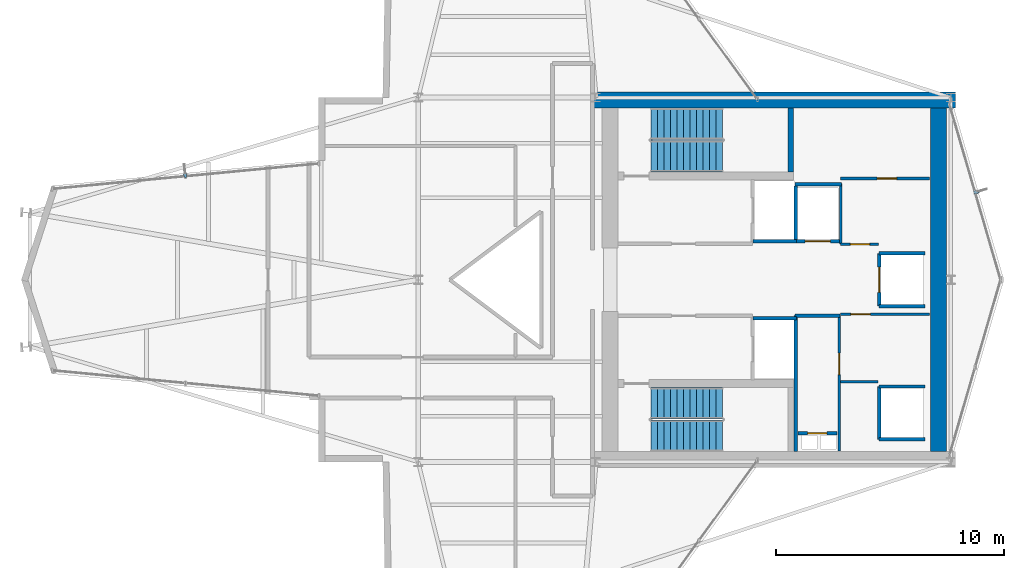
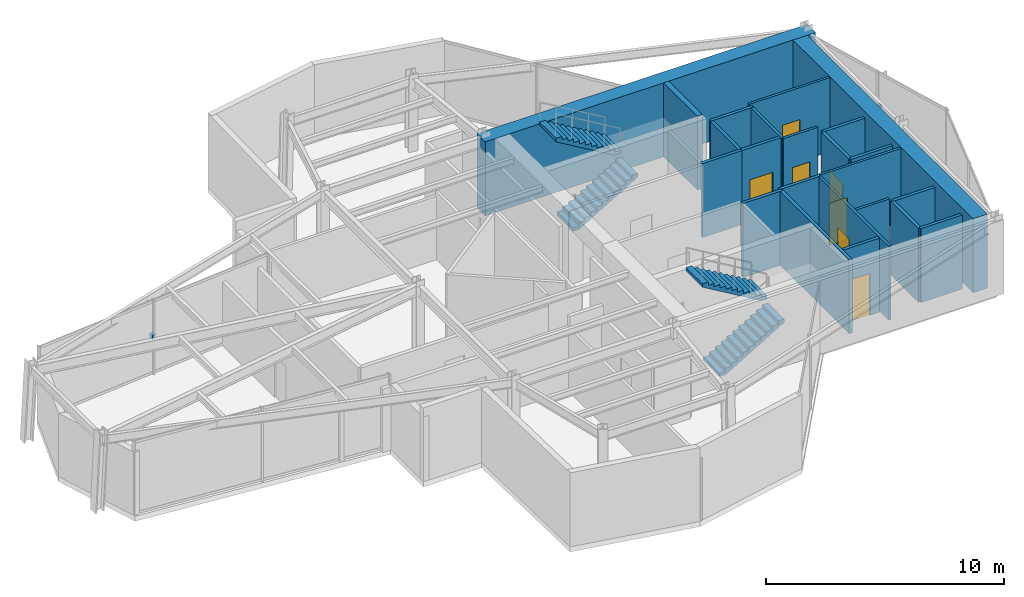
# One storey, part 20 of 21: 23 walls, 7 doors, 4 stair flights, 2 discrete accessories, 7 openings, 2 elements without a shape of their own.
"""IFC4 building model written with IfcOpenShell, lengths in metres."""

import ifcopenshell
import ifcopenshell.guid

model = None  # the IFC model being written
_history = None  # IfcOwnerHistory: only IFC2X3 demands one
_inside = {}  # id of a spatial element -> (the spatial element, [elements in it])
_under = {}  # id of a project, library or spatial element -> (it, [spatial elements below it])
_declared = {}  # id of a project -> (the project, [libraries it declares])
_typed = {}  # id of a type object -> (the type object, [elements of that type])
_made_of = {}  # id of a material, layer set ... -> (it, [elements and type objects made of it])


def new_model(schema):
    """Start an empty IFC model of exactly this schema.

    Asked for "IFC4X3", IfcOpenShell would pick the latest addendum, in which some entities
    have other attributes; the version numbers below select the first issue.
    IFC2X3 requires an IfcOwnerHistory on every rooted entity: one is made here for all.
    """
    global model, _history
    if schema == "IFC4X3":
        model = ifcopenshell.file(schema_version=(4, 3, 0, 0))
    else:
        model = ifcopenshell.file(schema=schema)
    _inside.clear()
    _under.clear()
    _declared.clear()
    _typed.clear()
    _made_of.clear()
    _history = None
    if model.schema == "IFC2X3":
        org = make("IfcOrganization", Name="unknown")
        user = make(
            "IfcPersonAndOrganization",
            ThePerson=make("IfcPerson", FamilyName="unknown"),
            TheOrganization=org,
        )
        app = make(
            "IfcApplication",
            ApplicationDeveloper=org,
            Version="unknown",
            ApplicationFullName="unknown",
            ApplicationIdentifier="unknown",
        )
        _history = make(
            "IfcOwnerHistory",
            OwningUser=user,
            OwningApplication=app,
            ChangeAction="ADDED",
            CreationDate=0,
        )
    return model


def make(cls, **values):
    """One entity of the class cls with the attributes given. An attribute that is None is left unset."""
    return model.create_entity(
        cls, **{name: value for name, value in values.items() if value is not None}
    )


def rooted(cls, **values):
    """An entity with a GlobalId (a new one), such as an element, a storey or a relation."""
    return make(cls, GlobalId=ifcopenshell.guid.new(), OwnerHistory=_history, **values)


def si_unit(unit_type, name, prefix=None):
    """IfcSIUnit, for example si_unit("LENGTHUNIT", "METRE", prefix="MILLI")."""
    return make("IfcSIUnit", UnitType=unit_type, Prefix=prefix, Name=name)


def assignment(units):
    """IfcUnitAssignment: the units of a project."""
    return None if units is None else make("IfcUnitAssignment", Units=units)


def point(xyz):
    """IfcCartesianPoint."""
    return None if xyz is None else make("IfcCartesianPoint", Coordinates=xyz)


def direction(xyz):
    """IfcDirection."""
    return None if xyz is None else make("IfcDirection", DirectionRatios=xyz)


def frame(location, z_axis=None, x_axis=None):
    """IfcAxis2Placement3D, a coordinate frame: its origin and axes. An axis left out is left unset."""
    return make(
        "IfcAxis2Placement3D",
        Location=point(location),
        Axis=direction(z_axis),
        RefDirection=direction(x_axis),
    )


def frame_2d(location, x_axis=None):
    """IfcAxis2Placement2D, a coordinate frame in the plane: its origin and x axis."""
    return make(
        "IfcAxis2Placement2D", Location=point(location), RefDirection=direction(x_axis)
    )


def origin():
    """The frame at (0, 0, 0) with its axes left unset."""
    return frame((0.0, 0.0, 0.0))


def origin_2d():
    """The frame at (0, 0) in the plane with its x axis left unset."""
    return frame_2d((0.0, 0.0))


def place(relative_to, where):
    """IfcLocalPlacement: puts the frame where relative to a parent placement (None: the world)."""
    return make(
        "IfcLocalPlacement", PlacementRelTo=relative_to, RelativePlacement=where
    )


def context(
    kind, dimensions, precision=None, world=None, true_north=None, identifier=None
):
    """IfcGeometricRepresentationContext, for example the 3D "Model" context."""
    return make(
        "IfcGeometricRepresentationContext",
        ContextIdentifier=identifier,
        ContextType=kind,
        CoordinateSpaceDimension=dimensions,
        Precision=precision,
        WorldCoordinateSystem=world,
        TrueNorth=true_north,
    )


def subcontext(parent, identifier, kind, view, scale=None):
    """IfcGeometricRepresentationSubContext, for example "Body" below "Model"."""
    return make(
        "IfcGeometricRepresentationSubContext",
        ContextIdentifier=identifier,
        ContextType=kind,
        ParentContext=parent,
        TargetScale=scale,
        TargetView=view,
    )


def project(units=None, contexts=None):
    """IfcProject with its units and contexts."""
    return rooted(
        "IfcProject",
        Name="project",
        RepresentationContexts=contexts,
        UnitsInContext=assignment(units),
    )


def spatial(cls, under=None, at=None, **own):
    """A site, building, storey or space (cls), placed at a placement, below another one or the project."""
    s = rooted(cls, ObjectPlacement=at, **own)
    if under is not None:
        _under.setdefault(under.id(), (under, []))[1].append(s)
    return s


def polyline(points):
    """IfcPolyline through the points."""
    return make("IfcPolyline", Points=[point(p) for p in points])


def profile(cls, at=None, kind="AREA", **sizes):
    """A parametric profile (cls). Its sizes go by their IFC names, for example OverallWidth=200.0."""
    return make(cls, ProfileType=kind, Position=at, **sizes)


def rectangle(**sizes):
    """IfcRectangleProfileDef."""
    return profile("IfcRectangleProfileDef", **sizes)


def outline(outer, holes=None, kind="AREA"):
    """IfcArbitraryClosedProfileDef: a profile drawn as a closed curve; with holes, ...WithVoids."""
    if holes is None:
        return make("IfcArbitraryClosedProfileDef", ProfileType=kind, OuterCurve=outer)
    return make(
        "IfcArbitraryProfileDefWithVoids",
        ProfileType=kind,
        OuterCurve=outer,
        InnerCurves=holes,
    )


def extrude(swept, where, along, depth):
    """IfcExtrudedAreaSolid: the profile swept, set in the frame where, extruded along a direction by depth."""
    return make(
        "IfcExtrudedAreaSolid",
        SweptArea=swept,
        Position=where,
        ExtrudedDirection=direction(along),
        Depth=depth,
    )


def shape(context_of_items, identifier, shape_type, items):
    """IfcShapeRepresentation: the items that make up one representation, for example the "Body"."""
    return make(
        "IfcShapeRepresentation",
        ContextOfItems=context_of_items,
        RepresentationIdentifier=identifier,
        RepresentationType=shape_type,
        Items=items,
    )


def material(Name=None, Category=None):
    """IfcMaterial."""
    return make("IfcMaterial", Name=Name, Category=Category)


def layer(
    of_material, thickness, ventilated=None, Name=None, Category=None, Priority=None
):
    """IfcMaterialLayer: one layer of a wall or slab, of a material (None: an air gap)."""
    return make(
        "IfcMaterialLayer",
        Material=of_material,
        LayerThickness=thickness,
        IsVentilated=ventilated,
        Name=Name,
        Category=Category,
        Priority=Priority,
    )


def layer_set(layers, Name=None):
    """IfcMaterialLayerSet."""
    return make("IfcMaterialLayerSet", MaterialLayers=layers, LayerSetName=Name)


def made_of(thing, what):
    """Note that an element or type object is made of a material, layer set ...; save() writes the relation."""
    if what is not None:
        _made_of.setdefault(what.id(), (what, []))[1].append(thing)
    return thing


def type_object(cls, material=None, **own):
    """A type object (cls), such as IfcWallType, which elements share."""
    return made_of(rooted(cls, **own), material)


def element(
    cls,
    number,
    at=None,
    inside=None,
    cuts=None,
    type_object=None,
    material=None,
    context=None,
    identifier="Body",
    shape_type=None,
    held_by="IfcProductDefinitionShape",
    body=None,
    shapes=None,
    **own,
):
    """One element of the class cls, such as IfcWall. Its Tag is "e" and its number.

    at: its placement. inside: the storey or other place that contains it. cuts: it is an
    opening in that element (IfcRelVoidsElement). A single representation is given by context,
    identifier, shape_type and body (its items); several are given by shapes. held_by: the class
    of the entity that holds the representations. save() writes the other relations.
    """
    e = rooted(cls, Tag="e%d" % number, ObjectPlacement=at, **own)
    if body is not None:
        shapes = [shape(context, identifier, shape_type, body)]
    if shapes is not None:
        e.Representation = make(held_by, Representations=shapes)
    if inside is not None:
        _inside.setdefault(inside.id(), (inside, []))[1].append(e)
    if cuts is not None:
        rooted(
            "IfcRelVoidsElement", RelatingBuildingElement=cuts, RelatedOpeningElement=e
        )
    if type_object is not None:
        _typed.setdefault(type_object.id(), (type_object, []))[1].append(e)
    return made_of(e, material)


def fill(opening, filler):
    """IfcRelFillsElement: the door or window that sits in an opening."""
    return rooted(
        "IfcRelFillsElement",
        RelatingOpeningElement=opening,
        RelatedBuildingElement=filler,
    )


def aggregate(whole, parts):
    """IfcRelAggregates: a whole, such as a stair, and the parts it consists of."""
    return rooted("IfcRelAggregates", RelatingObject=whole, RelatedObjects=parts)


def save(model, path):
    """Write the relations noted so far, then the file.

    IfcRelAggregates (storeys below a building ...), IfcRelContainedInSpatialStructure (elements
    in a storey), IfcRelDefinesByType, IfcRelAssociatesMaterial and IfcRelDeclares: one each for
    every whole, place, type object, material and project.
    """
    for whole, parts in _under.values():
        aggregate(whole, parts)
    for where, things in _inside.values():
        rooted(
            "IfcRelContainedInSpatialStructure",
            RelatedElements=things,
            RelatingStructure=where,
        )
    for kind, things in _typed.values():
        rooted("IfcRelDefinesByType", RelatedObjects=things, RelatingType=kind)
    for what, things in _made_of.values():
        rooted("IfcRelAssociatesMaterial", RelatedObjects=things, RelatingMaterial=what)
    for by, libraries in _declared.values():
        rooted("IfcRelDeclares", RelatingContext=by, RelatedDefinitions=libraries)
    model.write(path)


model = new_model("IFC4")

# Units and contexts
model_context = context("Model", 3, precision=1e-05, world=origin(), true_north=direction((0.0, 1.0)))
body_context = subcontext(model_context, "Body", "Model", "MODEL_VIEW")
ifc_project = project(units=[si_unit("LENGTHUNIT", "METRE"), si_unit("AREAUNIT", "SQUARE_METRE"), si_unit("VOLUMEUNIT", "CUBIC_METRE"), si_unit("PLANEANGLEUNIT", "RADIAN"), si_unit("MASSUNIT", "GRAM", prefix="KILO")], contexts=[model_context])

# Site, building, storey
site_placement = place(None, origin())
site = spatial("IfcSite", under=ifc_project, at=site_placement, CompositionType="ELEMENT")
building_placement = place(site_placement, origin())
building = spatial("IfcBuilding", under=site, at=building_placement, Name="Veymaron Broadcast Tower", CompositionType="ELEMENT")
storey_placement = place(building_placement, frame((0.0, 0.0, 232.35009765625)))
storey = spatial("IfcBuildingStorey", under=building, at=storey_placement, Name="L54", CompositionType="ELEMENT", Elevation=232.35009765625)

# Walls
ifc_material_1 = material(Name="Gypsum fireboard and steel stud framing", Category="steel")
ifc_layer_1 = layer(ifc_material_1, 0.14990234375)
ifc_layer_set_1 = layer_set([ifc_layer_1], Name="Gypsum fireboard and steel stud framing")
wall_type_1 = type_object("IfcWallType", Name="WALL-FIRE-150", PredefinedType="PARTITIONING", material=ifc_layer_set_1)
for number, where, z_axis, x_axis, name in (
    (1, (45.89501953125, 25.68994140625, 0.0), (0.0, 0.0, 1.0), (1.0, 0.0, 0.0), "L54 partition IW-L54-SHS-FFL-1"),
    (2, (45.89501953125, 22.31005859375, 0.0), (0.0, 0.0, 1.0), (1.0, 0.0, 0.0), "L54 partition IW-L54-SHN-FFL-2"),
):
    element("IfcWall", number, at=place(storey_placement, frame(where, z_axis=z_axis, x_axis=x_axis)), inside=storey, type_object=wall_type_1, Name=name, PredefinedType="PARTITIONING", context=body_context, shape_type="SweptSolid", body=[
        extrude(rectangle(XDim=1.9150390625, YDim=0.14990234375, at=frame_2d((0.95751953125, 0.0))), origin(), (0.0, 0.0, 1.0), 3.789794921875),
    ])

# Wall, opening, door
wall_1_placement = place(storey_placement, frame((47.7900390625, 25.695068359375, 0.0), z_axis=(0.0, 0.0, 1.0), x_axis=(1.0, 0.0, 0.0)))
wall_1 = element("IfcWall", 3, at=wall_1_placement, inside=storey, type_object=wall_type_1, Name="L54 partition IW-L54-SHS-SL-1", PredefinedType="PARTITIONING", context=body_context, shape_type="SweptSolid", body=[
    extrude(rectangle(XDim=1.919921875, YDim=0.14990234375, at=frame_2d((0.9599609375, 0.0))), origin(), (0.0, 0.0, 1.0), 3.789794921875),
])
opening_1_placement = place(wall_1_placement, frame((0.409912109375, 0.0, 0.0)))
opening_1 = element("IfcOpeningElement", 4, at=opening_1_placement, cuts=wall_1, Name="Opening LD", PredefinedType="OPENING", context=body_context, shape_type="SweptSolid", body=[
    extrude(rectangle(XDim=1.10009765625, YDim=2.14990234375, at=frame_2d((0.550048828125, 1.074951171875))), frame((0.0, 0.0849609375, 0.0), z_axis=(0.0, -1.0, 0.0), x_axis=(1.0, 0.0, 0.0)), (0.0, 0.0, 1.0), 0.169921875),
])
ifc_material_2 = material(Name="Brushed stainless steel AISI 304", Category="steel")
door_type_1 = type_object("IfcDoorType", Name="DOOR-LIFT-1100", OperationType="DOUBLE_DOOR_SLIDING", PredefinedType="DOOR", material=ifc_material_2)
door_1_placement = place(opening_1_placement, frame((1.10009765625, 0.0, 0.0), z_axis=(0.0, 0.0, 1.0), x_axis=(-1.0, 0.0, 0.0)))
door_1 = element("IfcDoor", 5, at=door_1_placement, inside=storey, type_object=door_type_1, Name="L54 door LD-L54-SL-1", OperationType="DOUBLE_DOOR_SLIDING", OverallHeight=2.14990234375, OverallWidth=1.10009765625, PredefinedType="DOOR", context=body_context, shape_type="SweptSolid", body=[
    extrude(rectangle(XDim=1.10009765625, YDim=2.14990234375, at=frame_2d((0.550048828125, 1.074951171875))), frame((0.0, 0.02490234375, 0.0), z_axis=(0.0, -1.0, 0.0), x_axis=(1.0, 0.0, 0.0)), (0.0, 0.0, 1.0), 0.050048828125),
])
fill(opening_1, door_1)

# Wall
wall_2_placement = place(storey_placement, frame((47.7900390625, 25.695068359375, 0.0), z_axis=(0.0, 0.0, 1.0), x_axis=(0.0, 1.0, 0.0)))
element("IfcWall", 6, at=wall_2_placement, inside=storey, type_object=wall_type_1, Name="L54 partition IW-L54-SHW-SL-1", PredefinedType="PARTITIONING", context=body_context, shape_type="SweptSolid", body=[
    extrude(rectangle(XDim=2.4150390625, YDim=0.14990234375, at=frame_2d((1.20751953125, 0.0))), origin(), (0.0, 0.0, 1.0), 3.789794921875),
])

# Wall, opening, door
wall_3_placement = place(storey_placement, frame((51.445068359375, 22.840087890625, 0.0), z_axis=(0.0, 0.0, 1.0), x_axis=(0.0, 1.0, 0.0)))
wall_3 = element("IfcWall", 7, at=wall_3_placement, inside=storey, type_object=wall_type_1, Name="L54 partition IW-L54-SHW-PM3", PredefinedType="PARTITIONING", context=body_context, shape_type="SweptSolid", body=[
    extrude(rectangle(XDim=2.31982421875, YDim=0.14990234375, at=frame_2d((1.159912109375, 0.0))), origin(), (0.0, 0.0, 1.0), 3.789794921875),
])
opening_2_placement = place(wall_3_placement, frame((0.610107421875, 0.0, 0.0)))
opening_2 = element("IfcOpeningElement", 8, at=opening_2_placement, cuts=wall_3, Name="Opening LD", PredefinedType="OPENING", context=body_context, shape_type="SweptSolid", body=[
    extrude(rectangle(XDim=1.10009765625, YDim=2.14990234375, at=frame_2d((0.550048828125, 1.074951171875))), frame((0.0, 0.0849609375, 0.0), z_axis=(0.0, -1.0, 0.0), x_axis=(1.0, 0.0, 0.0)), (0.0, 0.0, 1.0), 0.169921875),
])
door_2_placement = place(opening_2_placement, frame((1.10009765625, 0.0, 0.0), z_axis=(0.0, 0.0, 1.0), x_axis=(-1.0, 0.0, 0.0)))
door_2 = element("IfcDoor", 9, at=door_2_placement, inside=storey, type_object=door_type_1, Name="L54 door LD-L54-PM3", OperationType="DOUBLE_DOOR_SLIDING", OverallHeight=2.14990234375, OverallWidth=1.10009765625, PredefinedType="DOOR", context=body_context, shape_type="SweptSolid", body=[
    extrude(rectangle(XDim=1.10009765625, YDim=2.14990234375, at=frame_2d((0.550048828125, 1.074951171875))), frame((0.0, 0.02490234375, 0.0), z_axis=(0.0, -1.0, 0.0), x_axis=(1.0, 0.0, 0.0)), (0.0, 0.0, 1.0), 0.050048828125),
])
fill(opening_2, door_2)

# Walls
for number, where, z_axis, x_axis, name in (
    (10, (51.445068359375, 22.840087890625, 0.0), (0.0, 0.0, 1.0), (1.0, 0.0, 0.0), "L54 partition IW-L54-SHS-PM3"),
    (11, (51.445068359375, 25.159912109375, 0.0), (0.0, 0.0, 1.0), (1.0, 0.0, 0.0), "L54 partition IW-L54-SHN-PM3"),
):
    element("IfcWall", number, at=place(storey_placement, frame(where, z_axis=z_axis, x_axis=x_axis)), inside=storey, type_object=wall_type_1, Name=name, PredefinedType="PARTITIONING", context=body_context, shape_type="SweptSolid", body=[
        extrude(rectangle(XDim=2.014892578125, YDim=0.14990234375, at=frame_2d((1.00732421875, 0.0))), origin(), (0.0, 0.0, 1.0), 3.789794921875),
    ])
wall_4_placement = place(storey_placement, frame((51.445068359375, 16.989990234375, 0.0), z_axis=(0.0, 0.0, 1.0), x_axis=(0.0, 1.0, 0.0)))
element("IfcWall", 12, at=wall_4_placement, inside=storey, type_object=wall_type_1, Name="L54 partition IW-L54-SHW-PH1", PredefinedType="PARTITIONING", context=body_context, shape_type="SweptSolid", body=[
    extrude(rectangle(XDim=2.320068359375, YDim=0.14990234375, at=frame_2d((1.16015625, 0.0))), origin(), (0.0, 0.0, 1.0), 3.789794921875),
])
for number, where, z_axis, x_axis, name in (
    (13, (51.445068359375, 16.989990234375, 0.0), (0.0, 0.0, 1.0), (1.0, 0.0, 0.0), "L54 partition IW-L54-SHS-PH1"),
    (14, (51.445068359375, 19.31005859375, 0.0), (0.0, 0.0, 1.0), (1.0, 0.0, 0.0), "L54 partition IW-L54-SHN-PH1"),
):
    element("IfcWall", number, at=place(storey_placement, frame(where, z_axis=z_axis, x_axis=x_axis)), inside=storey, type_object=wall_type_1, Name=name, PredefinedType="PARTITIONING", context=body_context, shape_type="SweptSolid", body=[
        extrude(rectangle(XDim=2.014892578125, YDim=0.14990234375, at=frame_2d((1.00732421875, 0.0))), origin(), (0.0, 0.0, 1.0), 3.789794921875),
    ])

# Wall, opening, door
wall_5_placement = place(storey_placement, frame((47.8798828125, 17.260009765625, 0.0), z_axis=(0.0, 0.0, 1.0), x_axis=(1.0, 0.0, 0.0)))
wall_5 = element("IfcWall", 15, at=wall_5_placement, inside=storey, type_object=wall_type_1, Name="L54 partition IW-L54-RIS-N", PredefinedType="PARTITIONING", context=body_context, shape_type="SweptSolid", body=[
    extrude(rectangle(XDim=1.72021484375, YDim=0.14990234375, at=frame_2d((0.860107421875, 0.0))), origin(), (0.0, 0.0, 1.0), 3.789794921875),
])
opening_3_placement = place(wall_5_placement, frame((0.419921875, 0.0, 0.0)))
opening_3 = element("IfcOpeningElement", 16, at=opening_3_placement, cuts=wall_5, Name="Opening ID-RS1", PredefinedType="OPENING", context=body_context, shape_type="SweptSolid", body=[
    extrude(rectangle(XDim=0.85009765625, YDim=2.14990234375, at=frame_2d((0.425048828125, 1.074951171875))), frame((0.0, 0.0849609375, 0.0), z_axis=(0.0, -1.0, 0.0), x_axis=(1.0, 0.0, 0.0)), (0.0, 0.0, 1.0), 0.169921875),
])
ifc_material_3 = material(Name="Fire-rated powder-coated steel riser leaf", Category="steel")
door_type_2 = type_object("IfcDoorType", Name="DOOR-RIS-850", OperationType="NOTDEFINED", PredefinedType="TRAPDOOR", material=ifc_material_3)
door_3_placement = place(opening_3_placement, origin())
door_3 = element("IfcDoor", 17, at=door_3_placement, inside=storey, type_object=door_type_2, Name="L54 door DR-L54-RIS", OperationType="SINGLE_SWING_LEFT", OverallHeight=2.14990234375, OverallWidth=0.85009765625, PredefinedType="TRAPDOOR", context=body_context, shape_type="SweptSolid", body=[
    extrude(rectangle(XDim=0.85009765625, YDim=2.14990234375, at=frame_2d((0.425048828125, 1.074951171875))), frame((0.0, 0.02490234375, 0.0), z_axis=(0.0, -1.0, 0.0), x_axis=(1.0, 0.0, 0.0)), (0.0, 0.0, 1.0), 0.050048828125),
])
fill(opening_3, door_3)

# Walls
wall_6_placement = place(storey_placement, frame((47.760009765625, 22.425048828125, 0.0), z_axis=(0.0, 0.0, 1.0), x_axis=(1.0, 0.0, 0.0)))
element("IfcWall", 18, at=wall_6_placement, inside=storey, type_object=wall_type_1, Name="L54 partition IW-L54-SM-N", PredefinedType="PARTITIONING", context=body_context, shape_type="SweptSolid", body=[
    extrude(rectangle(XDim=1.9599609375, YDim=0.14990234375, at=frame_2d((0.97998046875, 0.0))), origin(), (0.0, 0.0, 1.0), 3.789794921875),
])
wall_7_placement = place(storey_placement, frame((47.780029296875, 16.449951171875, 0.0), z_axis=(0.0, 0.0, 1.0), x_axis=(0.0, 1.0, 0.0)))
element("IfcWall", 19, at=wall_7_placement, inside=storey, type_object=wall_type_1, Name="L54 partition IW-L54-SM-W", PredefinedType="PARTITIONING", context=body_context, shape_type="SweptSolid", body=[
    extrude(rectangle(XDim=5.97509765625, YDim=0.14990234375, at=frame_2d((2.987548828125, 0.0))), origin(), (0.0, 0.0, 1.0), 3.789794921875),
])
wall_8_placement = place(storey_placement, frame((47.760009765625, 28.199951171875, 0.0), z_axis=(0.0, 0.0, 1.0), x_axis=(1.0, 0.0, 0.0)))
element("IfcWall", 20, at=wall_8_placement, inside=storey, type_object=wall_type_1, Name="L54 partition IW-L54-F2-SW", PredefinedType="PARTITIONING", context=body_context, shape_type="SweptSolid", body=[
    extrude(rectangle(XDim=2.0400390625, YDim=0.14990234375, at=frame_2d((1.02001953125, 0.0))), origin(), (0.0, 0.0, 1.0), 3.789794921875),
])

# Wall, opening, door
ifc_material_4 = material(Name="Acoustic gypsum board and galvanized stud", Category="gypsum")
ifc_layer_2 = layer(ifc_material_4, 0.1201171875)
ifc_layer_set_2 = layer_set([ifc_layer_2], Name="Acoustic gypsum board and galvanized stud")
wall_type_2 = type_object("IfcWallType", Name="WALL-PART-120", PredefinedType="PARTITIONING", material=ifc_layer_set_2)
wall_9_placement = place(storey_placement, frame((49.699951171875, 16.47998046875, 0.0), z_axis=(0.0, 0.0, 1.0), x_axis=(0.0, 1.0, 0.0)))
wall_9 = element("IfcWall", 21, at=wall_9_placement, inside=storey, type_object=wall_type_2, Name="L54 partition IW-L54-SM-E", PredefinedType="PARTITIONING", context=body_context, shape_type="SweptSolid", body=[
    extrude(rectangle(XDim=5.945068359375, YDim=0.1201171875, at=frame_2d((2.97265625, 0.0))), origin(), (0.0, 0.0, 1.0), 3.789794921875),
])
opening_4_placement = place(wall_9_placement, frame((3.35009765625, 0.0, 0.0)))
opening_4 = element("IfcOpeningElement", 22, at=opening_4_placement, cuts=wall_9, Name="Opening ID-RM1", PredefinedType="OPENING", context=body_context, shape_type="SweptSolid", body=[
    extrude(rectangle(XDim=0.949951171875, YDim=2.14990234375, at=frame_2d((0.47509765625, 1.074951171875))), frame((0.0, 0.070068359375, 0.0), z_axis=(0.0, -1.0, 0.0), x_axis=(1.0, 0.0, 0.0)), (0.0, 0.0, 1.0), 0.14013671875),
])
ifc_material_5 = material(Name="Acoustic solid-core European oak veneer timber", Category="wood")
door_type_3 = type_object("IfcDoorType", Name="DOOR-INT-950", OperationType="NOTDEFINED", PredefinedType="DOOR", material=ifc_material_5)
door_4_placement = place(opening_4_placement, frame((0.949951171875, 0.0, 0.0), z_axis=(0.0, 0.0, 1.0), x_axis=(-1.0, 0.0, 0.0)))
door_4 = element("IfcDoor", 23, at=door_4_placement, inside=storey, type_object=door_type_3, Name="L54 door DR-L54-AWC", OperationType="SINGLE_SWING_LEFT", OverallHeight=2.14990234375, OverallWidth=0.949951171875, PredefinedType="DOOR", context=body_context, shape_type="SweptSolid", body=[
    extrude(rectangle(XDim=0.949951171875, YDim=2.14990234375, at=frame_2d((0.47509765625, 1.074951171875))), frame((0.0, 0.02490234375, 0.0), z_axis=(0.0, -1.0, 0.0), x_axis=(1.0, 0.0, 0.0)), (0.0, 0.0, 1.0), 0.050048828125),
])
fill(opening_4, door_4)

wall_10_placement = place(storey_placement, frame((49.760009765625, 22.47998046875, 0.0), z_axis=(0.0, 0.0, 1.0), x_axis=(1.0, 0.0, 0.0)))
wall_10 = element("IfcWall", 24, at=wall_10_placement, inside=storey, type_object=wall_type_2, Name="L54 partition IW-L54-F2S-N", PredefinedType="PARTITIONING", context=body_context, shape_type="SweptSolid", body=[
    extrude(rectangle(XDim=3.89990234375, YDim=0.1201171875, at=frame_2d((1.949951171875, 0.0))), origin(), (0.0, 0.0, 1.0), 3.789794921875),
])
opening_5_placement = place(wall_10_placement, frame((0.449951171875, 0.0, 0.0)))
opening_5 = element("IfcOpeningElement", 25, at=opening_5_placement, cuts=wall_10, Name="Opening ID-WC1", PredefinedType="OPENING", context=body_context, shape_type="SweptSolid", body=[
    extrude(rectangle(XDim=0.85009765625, YDim=2.14990234375, at=frame_2d((0.425048828125, 1.074951171875))), frame((0.0, 0.070068359375, 0.0), z_axis=(0.0, -1.0, 0.0), x_axis=(1.0, 0.0, 0.0)), (0.0, 0.0, 1.0), 0.14013671875),
])
ifc_material_6 = material(Name="Moisture-resistant high-pressure laminate timber", Category="wood")
door_type_4 = type_object("IfcDoorType", Name="DOOR-INT-850", OperationType="NOTDEFINED", PredefinedType="DOOR", material=ifc_material_6)
door_5_placement = place(opening_5_placement, frame((0.85009765625, 0.0, 0.0), z_axis=(0.0, 0.0, 1.0), x_axis=(-1.0, 0.0, 0.0)))
door_5 = element("IfcDoor", 26, at=door_5_placement, inside=storey, type_object=door_type_4, Name="L54 door DR-L54-F2S", OperationType="SINGLE_SWING_LEFT", OverallHeight=2.14990234375, OverallWidth=0.85009765625, PredefinedType="DOOR", context=body_context, shape_type="SweptSolid", body=[
    extrude(rectangle(XDim=0.85009765625, YDim=2.14990234375, at=frame_2d((0.425048828125, 1.074951171875))), frame((0.0, 0.02490234375, 0.0), z_axis=(0.0, -1.0, 0.0), x_axis=(1.0, 0.0, 0.0)), (0.0, 0.0, 1.0), 0.050048828125),
])
fill(opening_5, door_5)

# Walls
wall_11_placement = place(storey_placement, frame((49.760009765625, 19.52001953125, 0.0), z_axis=(0.0, 0.0, 1.0), x_axis=(1.0, 0.0, 0.0)))
element("IfcWall", 27, at=wall_11_placement, inside=storey, type_object=wall_type_2, Name="L54 partition IW-L54-F2S-S", PredefinedType="PARTITIONING", context=body_context, shape_type="SweptSolid", body=[
    extrude(rectangle(XDim=1.639892578125, YDim=0.1201171875, at=frame_2d((0.81982421875, 0.0))), origin(), (0.0, 0.0, 1.0), 3.789794921875),
])
wall_12_placement = place(storey_placement, frame((49.760009765625, 25.56005859375, 0.0), z_axis=(0.0, 0.0, 1.0), x_axis=(0.0, 1.0, 0.0)))
element("IfcWall", 28, at=wall_12_placement, inside=storey, type_object=wall_type_2, Name="L54 partition IW-L54-F2-W1", PredefinedType="PARTITIONING", context=body_context, shape_type="SweptSolid", body=[
    extrude(rectangle(XDim=2.659912109375, YDim=0.1201171875, at=frame_2d((1.330078125, 0.0))), origin(), (0.0, 0.0, 1.0), 3.789794921875),
])

# Wall, opening, door
wall_13_placement = place(storey_placement, frame((49.760009765625, 25.56005859375, 0.0), z_axis=(0.0, 0.0, 1.0), x_axis=(1.0, 0.0, 0.0)))
wall_13 = element("IfcWall", 29, at=wall_13_placement, inside=storey, type_object=wall_type_2, Name="L54 partition IW-L54-F2-S", PredefinedType="PARTITIONING", context=body_context, shape_type="SweptSolid", body=[
    extrude(rectangle(XDim=1.659912109375, YDim=0.1201171875, at=frame_2d((0.830078125, 0.0))), origin(), (0.0, 0.0, 1.0), 3.789794921875),
])
opening_6_placement = place(wall_13_placement, frame((0.419921875, 0.0, 0.0)))
opening_6 = element("IfcOpeningElement", 30, at=opening_6_placement, cuts=wall_13, Name="Opening ID-WC1", PredefinedType="OPENING", context=body_context, shape_type="SweptSolid", body=[
    extrude(rectangle(XDim=0.85009765625, YDim=2.14990234375, at=frame_2d((0.425048828125, 1.074951171875))), frame((0.0, 0.070068359375, 0.0), z_axis=(0.0, -1.0, 0.0), x_axis=(1.0, 0.0, 0.0)), (0.0, 0.0, 1.0), 0.14013671875),
])
door_6_placement = place(opening_6_placement, origin())
door_6 = element("IfcDoor", 31, at=door_6_placement, inside=storey, type_object=door_type_4, Name="L54 door DR-L54-F2A", OperationType="SINGLE_SWING_LEFT", OverallHeight=2.14990234375, OverallWidth=0.85009765625, PredefinedType="DOOR", context=body_context, shape_type="SweptSolid", body=[
    extrude(rectangle(XDim=0.85009765625, YDim=2.14990234375, at=frame_2d((0.425048828125, 1.074951171875))), frame((0.0, 0.02490234375, 0.0), z_axis=(0.0, -1.0, 0.0), x_axis=(1.0, 0.0, 0.0)), (0.0, 0.0, 1.0), 0.050048828125),
])
fill(opening_6, door_6)

wall_14_placement = place(storey_placement, frame((49.760009765625, 28.449951171875, 0.0), z_axis=(0.0, 0.0, 1.0), x_axis=(1.0, 0.0, 0.0)))
wall_14 = element("IfcWall", 32, at=wall_14_placement, inside=storey, type_object=wall_type_2, Name="L54 partition IW-L54-F2-M", PredefinedType="PARTITIONING", context=body_context, shape_type="SweptSolid", body=[
    extrude(rectangle(XDim=3.89990234375, YDim=0.1201171875, at=frame_2d((1.949951171875, 0.0))), origin(), (0.0, 0.0, 1.0), 3.789794921875),
])
opening_7_placement = place(wall_14_placement, frame((1.60009765625, 0.0, 0.0)))
opening_7 = element("IfcOpeningElement", 33, at=opening_7_placement, cuts=wall_14, Name="Opening ID-WC1", PredefinedType="OPENING", context=body_context, shape_type="SweptSolid", body=[
    extrude(rectangle(XDim=0.85009765625, YDim=2.14990234375, at=frame_2d((0.425048828125, 1.074951171875))), frame((0.0, 0.070068359375, 0.0), z_axis=(0.0, -1.0, 0.0), x_axis=(1.0, 0.0, 0.0)), (0.0, 0.0, 1.0), 0.14013671875),
])
door_7_placement = place(opening_7_placement, origin())
door_7 = element("IfcDoor", 34, at=door_7_placement, inside=storey, type_object=door_type_4, Name="L54 door DR-L54-F2B", OperationType="SINGLE_SWING_RIGHT", OverallHeight=2.14990234375, OverallWidth=0.85009765625, PredefinedType="DOOR", context=body_context, shape_type="SweptSolid", body=[
    extrude(rectangle(XDim=0.85009765625, YDim=2.14990234375, at=frame_2d((0.425048828125, 1.074951171875))), frame((0.0, 0.02490234375, 0.0), z_axis=(0.0, -1.0, 0.0), x_axis=(1.0, 0.0, 0.0)), (0.0, 0.0, 1.0), 0.050048828125),
])
fill(opening_7, door_7)

# Walls
ifc_material_7 = material(Name="Concrete C50/60", Category="concrete")
ifc_layer_3 = layer(ifc_material_7, 0.25)
ifc_layer_set_3 = layer_set([ifc_layer_3], Name="Concrete C50/60")
wall_type_3 = type_object("IfcWallType", Name="WALL-SHEAR-250", PredefinedType="SHEAR", material=ifc_layer_set_3)
wall_15_placement = place(storey_placement, frame((47.56494140625, 28.72998046875, 0.0), z_axis=(0.0, 0.0, 1.0), x_axis=(0.0, 1.0, 0.0)))
element("IfcWall", 35, at=wall_15_placement, inside=storey, type_object=wall_type_3, Name="L54 Core Wall north stair east shear", PredefinedType="SHEAR", context=body_context, shape_type="SweptSolid", body=[
    extrude(rectangle(XDim=2.820068359375, YDim=0.25, at=frame_2d((1.41015625, 0.0))), origin(), (0.0, 0.0, 1.0), 3.789794921875),
])
ifc_material_8 = material(Name="Concrete C60/75", Category="concrete")
ifc_layer_4 = layer(ifc_material_8, 0.699951171875)
ifc_layer_set_4 = layer_set([ifc_layer_4], Name="Concrete C60/75")
wall_type_4 = type_object("IfcWallType", Name="WALL-SHEAR-700", PredefinedType="SHEAR", material=ifc_layer_set_4)
wall_16_placement = place(storey_placement, frame((38.800048828125, 31.89990234375, 0.0), z_axis=(0.0, 0.0, 1.0), x_axis=(1.0, 0.0, 0.0)))
element("IfcWall", 36, at=wall_16_placement, inside=storey, type_object=wall_type_4, Name="L54 Core Wall north shear", PredefinedType="SHEAR", context=body_context, shape_type="SweptSolid", body=[
    extrude(rectangle(XDim=16.0, YDim=0.699951171875, at=frame_2d((8.0, 0.0))), origin(), (0.0, 0.0, 1.0), 3.789794921875),
])
wall_17_placement = place(storey_placement, frame((54.050048828125, 16.449951171875, 0.0), z_axis=(0.0, 0.0, 1.0), x_axis=(0.0, 1.0, 0.0)))
element("IfcWall", 37, at=wall_17_placement, inside=storey, type_object=wall_type_4, Name="L54 Core Wall east shear", PredefinedType="SHEAR", context=body_context, shape_type="SweptSolid", body=[
    extrude(rectangle(XDim=15.10009765625, YDim=0.699951171875, at=frame_2d((7.550048828125, 0.0))), origin(), (0.0, 0.0, 1.0), 3.789794921875),
])

# Stair, stair flights
stair_type_1 = type_object("IfcStairType", Name="STAIR-CORE-1", PredefinedType="HALF_TURN_STAIR", material=ifc_material_7)
stair_1_placement = place(storey_placement, origin())
stair_1 = element("IfcStair", 38, at=stair_1_placement, inside=storey, type_object=stair_type_1, Name="L54 North protected dog-leg exit stair ST1", PredefinedType="HALF_TURN_STAIR")
ifc_material_9 = material(Name="Precast concrete C50/60", Category="concrete")
stair_flight_type = type_object("IfcStairFlightType", Name="FLT-CORE-RC", PredefinedType="STRAIGHT", material=ifc_material_9)
stair_flight_1_placement = place(storey_placement, frame((41.429931640625, 29.419921875, 0.0), z_axis=(0.0, 0.0, 1.0), x_axis=(1.0, 0.0, 0.0)))
stair_flight_1 = element("IfcStairFlight", 39, at=stair_flight_1_placement, type_object=stair_flight_type, Name="ST1 flight 1", NumberOfRisers=12, NumberOfTreads=11, PredefinedType="STRAIGHT", RiserHeight=0.16875, TreadLength=0.285, context=body_context, shape_type="SweptSolid", body=[
    extrude(outline(polyline([(0.0, 0.0), (0.0, 0.168701171875), (0.284912109375, 0.168701171875), (0.284912109375, 0.33740234375), (0.570068359375, 0.33740234375), (0.570068359375, 0.50634765625), (0.85498046875, 0.50634765625), (0.85498046875, 0.675048828125), (1.139892578125, 0.675048828125), (1.139892578125, 0.84375), (1.425048828125, 0.84375), (1.425048828125, 1.012451171875), (1.7099609375, 1.012451171875), (1.7099609375, 1.18115234375), (1.9951171875, 1.18115234375), (1.9951171875, 1.35009765625), (2.280029296875, 1.35009765625), (2.280029296875, 1.518798828125), (2.56494140625, 1.518798828125), (2.56494140625, 1.6875), (2.85009765625, 1.6875), (2.85009765625, 1.856201171875), (3.135009765625, 1.856201171875), (3.135009765625, 2.02490234375), (3.135009765625, 1.68212890625), (0.294189453125, 0.0), (0.0, 0.0)])), frame((0.0, 0.68994140625, 0.0), z_axis=(0.0, -1.0, 0.0), x_axis=(1.0, 0.0, 0.0)), (0.0, 0.0, 1.0), 1.3798828125),
])
stair_flight_2_placement = place(storey_placement, frame((44.56494140625, 30.860107421875, 2.02490234375), z_axis=(0.0, 0.0, 1.0), x_axis=(-1.0, 0.0, 0.0)))
stair_flight_2 = element("IfcStairFlight", 40, at=stair_flight_2_placement, type_object=stair_flight_type, Name="ST1 flight 2", NumberOfRisers=12, NumberOfTreads=11, PredefinedType="STRAIGHT", RiserHeight=0.16875, TreadLength=0.285, context=body_context, shape_type="SweptSolid", body=[
    extrude(outline(polyline([(0.0, 0.0), (0.0, 0.168701171875), (0.284912109375, 0.168701171875), (0.284912109375, 0.33740234375), (0.570068359375, 0.33740234375), (0.570068359375, 0.50634765625), (0.85498046875, 0.50634765625), (0.85498046875, 0.675048828125), (1.139892578125, 0.675048828125), (1.139892578125, 0.84375), (1.425048828125, 0.84375), (1.425048828125, 1.012451171875), (1.7099609375, 1.012451171875), (1.7099609375, 1.18115234375), (1.9951171875, 1.18115234375), (1.9951171875, 1.35009765625), (2.280029296875, 1.35009765625), (2.280029296875, 1.518798828125), (2.56494140625, 1.518798828125), (2.56494140625, 1.6875), (2.85009765625, 1.6875), (2.85009765625, 1.856201171875), (3.135009765625, 1.856201171875), (3.135009765625, 2.02490234375), (3.135009765625, 1.68212890625), (0.294189453125, 0.0), (0.0, 0.0)])), frame((0.0, 0.68994140625, 0.0), z_axis=(0.0, -1.0, 0.0), x_axis=(1.0, 0.0, 0.0)), (0.0, 0.0, 1.0), 1.3798828125),
])
aggregate(stair_1, [stair_flight_1, stair_flight_2])

stair_type_2 = type_object("IfcStairType", Name="STAIR-CORE-2", PredefinedType="HALF_TURN_STAIR", material=ifc_material_7)
stair_2_placement = place(storey_placement, origin())
stair_2 = element("IfcStair", 41, at=stair_2_placement, inside=storey, type_object=stair_type_2, Name="L54 South protected dog-leg exit stair ST2", PredefinedType="HALF_TURN_STAIR")
stair_flight_3_placement = place(storey_placement, frame((41.429931640625, 17.139892578125, 0.0), z_axis=(0.0, 0.0, 1.0), x_axis=(1.0, 0.0, 0.0)))
stair_flight_3 = element("IfcStairFlight", 42, at=stair_flight_3_placement, type_object=stair_flight_type, Name="ST2 flight 1", NumberOfRisers=12, NumberOfTreads=11, PredefinedType="STRAIGHT", RiserHeight=0.16875, TreadLength=0.285, context=body_context, shape_type="SweptSolid", body=[
    extrude(outline(polyline([(0.0, 0.0), (0.0, 0.168701171875), (0.284912109375, 0.168701171875), (0.284912109375, 0.33740234375), (0.570068359375, 0.33740234375), (0.570068359375, 0.50634765625), (0.85498046875, 0.50634765625), (0.85498046875, 0.675048828125), (1.139892578125, 0.675048828125), (1.139892578125, 0.84375), (1.425048828125, 0.84375), (1.425048828125, 1.012451171875), (1.7099609375, 1.012451171875), (1.7099609375, 1.18115234375), (1.9951171875, 1.18115234375), (1.9951171875, 1.35009765625), (2.280029296875, 1.35009765625), (2.280029296875, 1.518798828125), (2.56494140625, 1.518798828125), (2.56494140625, 1.6875), (2.85009765625, 1.6875), (2.85009765625, 1.856201171875), (3.135009765625, 1.856201171875), (3.135009765625, 2.02490234375), (3.135009765625, 1.68212890625), (0.294189453125, 0.0), (0.0, 0.0)])), frame((0.0, 0.68994140625, 0.0), z_axis=(0.0, -1.0, 0.0), x_axis=(1.0, 0.0, 0.0)), (0.0, 0.0, 1.0), 1.3798828125),
])
stair_flight_4_placement = place(storey_placement, frame((44.56494140625, 18.580078125, 2.02490234375), z_axis=(0.0, 0.0, 1.0), x_axis=(-1.0, 0.0, 0.0)))
stair_flight_4 = element("IfcStairFlight", 43, at=stair_flight_4_placement, type_object=stair_flight_type, Name="ST2 flight 2", NumberOfRisers=12, NumberOfTreads=11, PredefinedType="STRAIGHT", RiserHeight=0.16875, TreadLength=0.285, context=body_context, shape_type="SweptSolid", body=[
    extrude(outline(polyline([(0.0, 0.0), (0.0, 0.168701171875), (0.284912109375, 0.168701171875), (0.284912109375, 0.33740234375), (0.570068359375, 0.33740234375), (0.570068359375, 0.50634765625), (0.85498046875, 0.50634765625), (0.85498046875, 0.675048828125), (1.139892578125, 0.675048828125), (1.139892578125, 0.84375), (1.425048828125, 0.84375), (1.425048828125, 1.012451171875), (1.7099609375, 1.012451171875), (1.7099609375, 1.18115234375), (1.9951171875, 1.18115234375), (1.9951171875, 1.35009765625), (2.280029296875, 1.35009765625), (2.280029296875, 1.518798828125), (2.56494140625, 1.518798828125), (2.56494140625, 1.6875), (2.85009765625, 1.6875), (2.85009765625, 1.856201171875), (3.135009765625, 1.856201171875), (3.135009765625, 2.02490234375), (3.135009765625, 1.68212890625), (0.294189453125, 0.0), (0.0, 0.0)])), frame((0.0, 0.68994140625, 0.0), z_axis=(0.0, -1.0, 0.0), x_axis=(1.0, 0.0, 0.0)), (0.0, 0.0, 1.0), 1.3798828125),
])
aggregate(stair_2, [stair_flight_3, stair_flight_4])

# Discrete accessories
ifc_material_10 = material(Name="Austenitic stainless steel AISI 316L", Category="steel")
ifc_layer_5 = layer(ifc_material_10, 0.1201171875)
ifc_layer_set_5 = layer_set([ifc_layer_5], Name="Austenitic stainless steel AISI 316L")
discrete_accessory_type = type_object("IfcDiscreteAccessoryType", Name="ACC-BRKT-SS1", PredefinedType="BRACKET", material=ifc_layer_set_5)
for number, where, z_axis, x_axis, name in (
    (44, (55.72412109375, 27.856201171875, 1.78515625), (0.0, 0.0, 1.0), (0.960074270418, 0.279745232811, 0.0), "CW-L54-E3-1 fin bracket 1"),
    (45, (20.969482421875, 28.602294921875, 1.78515625), (0.0, 0.0, 1.0), (-0.094507949912, 0.995524106892, 0.0), "CW-L54-E11-1 fin bracket 1"),
):
    element("IfcDiscreteAccessory", number, at=place(storey_placement, frame(where, z_axis=z_axis, x_axis=x_axis)), inside=storey, type_object=discrete_accessory_type, Name=name, PredefinedType="BRACKET", context=body_context, shape_type="SweptSolid", body=[
        extrude(rectangle(XDim=0.219970703125, YDim=0.139892578125, at=origin_2d()), origin(), (0.0, 0.0, 1.0), 0.219970703125),
    ])

save(model, "model.ifc")
